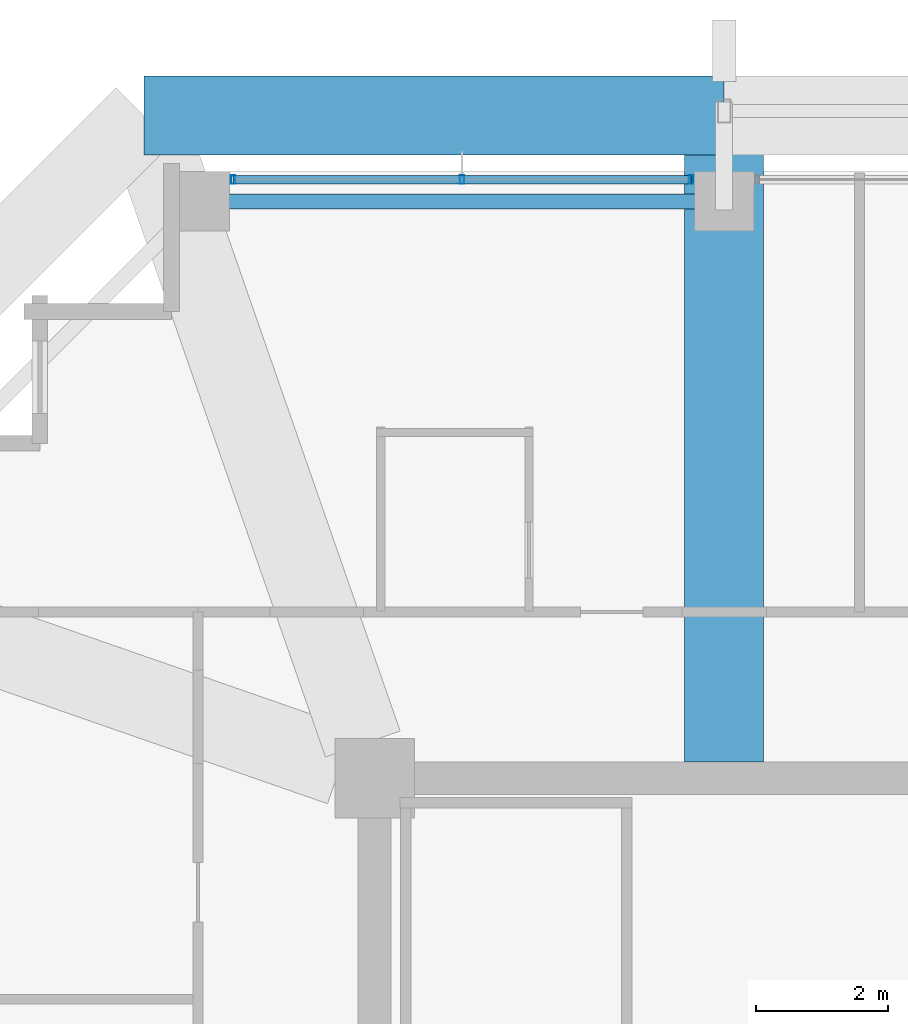
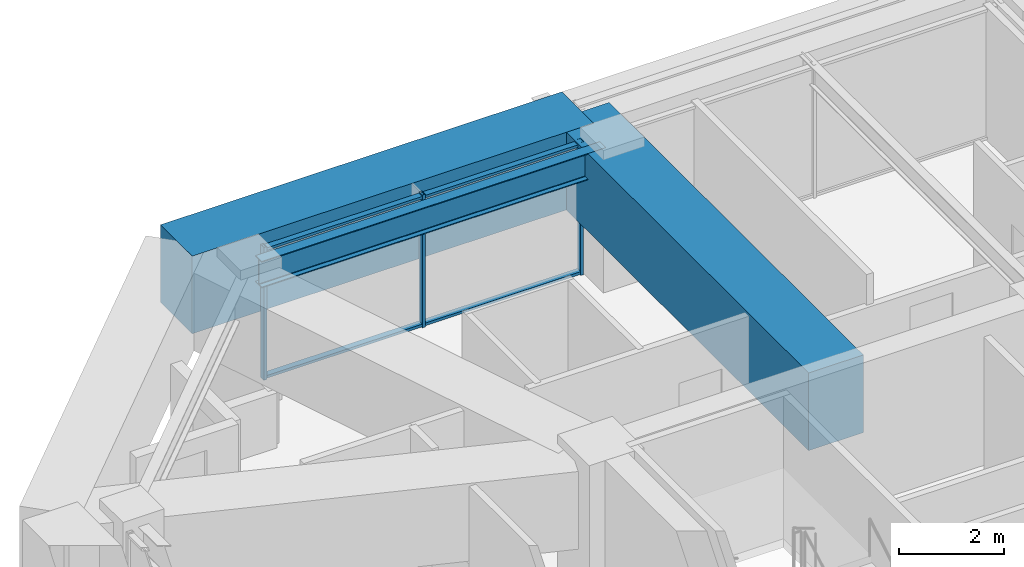
# One storey, part 23 of 40: 5 members, 3 beams, 1 element without a shape of its own.
"""IFC4 building model written with IfcOpenShell, lengths in metres."""

from ifc_helpers import new_model, si_unit, direction, frame, origin, origin_2d, place, context, subcontext, project, spatial, rectangle, hollow_rectangle, i_section, extrude, material, material_profile, profile_set, type_object, element, aggregate, save


model = new_model("IFC4")

# Units and contexts
model_context = context("Model", 3, precision=1e-05, world=origin(), true_north=direction((0.0, 1.0)))
body_context = subcontext(model_context, "Body", "Model", "MODEL_VIEW")
ifc_project = project(units=[si_unit("LENGTHUNIT", "METRE"), si_unit("AREAUNIT", "SQUARE_METRE"), si_unit("VOLUMEUNIT", "CUBIC_METRE"), si_unit("PLANEANGLEUNIT", "RADIAN"), si_unit("MASSUNIT", "GRAM", prefix="KILO")], contexts=[model_context])

# Site, building, storey
site_placement = place(None, origin())
site = spatial("IfcSite", under=ifc_project, at=site_placement, CompositionType="ELEMENT")
building_placement = place(site_placement, origin())
building = spatial("IfcBuilding", under=site, at=building_placement, Name="Kolvaren Belvedere", CompositionType="ELEMENT")
storey_placement = place(building_placement, frame((0.0, 0.0, 170.10009765625)))
storey = spatial("IfcBuildingStorey", under=building, at=storey_placement, Name="L49", CompositionType="ELEMENT", Elevation=170.10009765625)

# Beams
ifc_material_1 = material(Name="Structural steel ASTM A992 Grade 50", Category="steel")
ifc_material_profile_1 = material_profile(ifc_material_1, i_section(OverallWidth=0.22900390625, OverallDepth=0.612060546875, WebThickness=0.011962890625, FlangeThickness=0.01953125, FilletRadius=0.01806640625, at=origin_2d()), Name="W24X84")
ifc_profile_set_1 = profile_set([ifc_material_profile_1], Name="Structural steel ASTM A992 Grade 50")
beam_type_1 = type_object("IfcBeamType", Name="BM-SPAN-W24X84", PredefinedType="SPANDREL", material=ifc_profile_set_1)
beam_1_placement = place(storey_placement, frame((-4.802490234375, 18.64990234375, 2.77392578125), z_axis=(-1.0, 0.0, 0.0), x_axis=(0.0, -1.0, 0.0)))
element("IfcBeam", 1, at=beam_1_placement, inside=storey, type_object=beam_type_1, Name="L49 Perimeter Spandrel N2-N1", PredefinedType="SPANDREL", context=body_context, shape_type="SweptSolid", body=[
    extrude(i_section(OverallWidth=0.22900390625, OverallDepth=0.612060546875, WebThickness=0.011962890625, FlangeThickness=0.01953125, FilletRadius=0.01806640625, at=origin_2d()), origin(), (0.0, 0.0, 1.0), 7.544921875),
])
ifc_material_2 = material(Name="Concrete C50/60", Category="concrete")
ifc_material_profile_2 = material_profile(ifc_material_2, rectangle(XDim=1.199951171875, YDim=1.800048828125, at=origin_2d()), Name="RC 1200X1800")
ifc_profile_set_2 = profile_set([ifc_material_profile_2], Name="Concrete C50/60")
beam_type_2 = type_object("IfcBeamType", Name="BM-TG-1800", PredefinedType="BEAM", material=ifc_profile_set_2)
beam_2_placement = place(storey_placement, frame((-4.60009765625, 19.949951171875, 2.179931640625), z_axis=(-1.0, 0.0, 0.0), x_axis=(0.0, -1.0, 0.0)))
element("IfcBeam", 2, at=beam_2_placement, inside=storey, type_object=beam_type_2, Name="L49 Step Transfer Ring Girder N2-N1", PredefinedType="BEAM", context=body_context, shape_type="SweptSolid", body=[
    extrude(rectangle(XDim=1.199951171875, YDim=1.800048828125, at=origin_2d()), origin(), (0.0, 0.0, 1.0), 8.7998046875),
])
beam_3_placement = place(storey_placement, frame((-4.60009765625, 10.14990234375, 2.179931640625), z_axis=(0.0, 1.0, 0.0), x_axis=(-1.0, 0.0, 0.0)))
element("IfcBeam", 3, at=beam_3_placement, inside=storey, type_object=beam_type_2, Name="L49 North Radial Girder M", PredefinedType="BEAM", context=body_context, shape_type="SweptSolid", body=[
    extrude(rectangle(XDim=1.199951171875, YDim=1.800048828125, at=origin_2d()), origin(), (0.0, 0.0, 1.0), 9.650146484375),
])

# Curtain wall, members
ifc_material_3 = material(Name="Anodised pale-metal aluminium AA 6063-T6", Category="aluminium")
curtain_wall_type = type_object("IfcCurtainWallType", Name="CW-Z3-WAIST", PredefinedType="NOTDEFINED", material=ifc_material_3)
curtain_wall_placement = place(storey_placement, origin())
curtain_wall = element("IfcCurtainWall", 4, at=curtain_wall_placement, inside=storey, type_object=curtain_wall_type, Name="L49 Unitised Curtain Wall FCW-L49-N-B1", PredefinedType="NOTDEFINED")
ifc_material_4 = material(Name="Anodised pale-metal aluminium AA 6063-T6", Category="aluminium")
ifc_material_profile_3 = material_profile(ifc_material_4, hollow_rectangle(XDim=0.06494140625, YDim=0.1298828125, WallThickness=0.00390625, at=origin_2d()), Name="ALU-MUL-130X65")
ifc_profile_set_3 = profile_set([ifc_material_profile_3], Name="Anodised pale-metal aluminium AA 6063-T6")
member_type_1 = type_object("IfcMemberType", Name="CW-MUL-130", PredefinedType="MULLION", material=ifc_profile_set_3)
member_1_placement = place(storey_placement, frame((-12.047607421875, 18.97998046875, 0.0), z_axis=(0.0, 0.0, 1.0), x_axis=(1.0, 0.0, 0.0)))
member_1 = element("IfcMember", 5, at=member_1_placement, type_object=member_type_1, Name="FCW-L49-N-B1 Unitised Mullion 1", PredefinedType="MULLION", context=body_context, shape_type="SweptSolid", body=[
    extrude(hollow_rectangle(XDim=0.06494140625, YDim=0.1298828125, WallThickness=0.00390625, at=origin_2d()), origin(), (0.0, 0.0, 1.0), 3.079833984375),
])
member_2_placement = place(storey_placement, frame((-8.574951171875, 18.97998046875, 0.0), z_axis=(0.0, 0.0, 1.0), x_axis=(1.0, 0.0, 0.0)))
member_2 = element("IfcMember", 6, at=member_2_placement, type_object=member_type_1, Name="FCW-L49-N-B1 Unitised Mullion 2", PredefinedType="MULLION", context=body_context, shape_type="SweptSolid", body=[
    extrude(hollow_rectangle(XDim=0.06494140625, YDim=0.1298828125, WallThickness=0.00390625, at=origin_2d()), origin(), (0.0, 0.0, 1.0), 3.079833984375),
])
member_3_placement = place(storey_placement, frame((-5.1025390625, 18.97998046875, 0.0), z_axis=(0.0, 0.0, 1.0), x_axis=(1.0, 0.0, 0.0)))
member_3 = element("IfcMember", 7, at=member_3_placement, type_object=member_type_1, Name="FCW-L49-N-B1 Unitised Mullion 3", PredefinedType="MULLION", context=body_context, shape_type="SweptSolid", body=[
    extrude(hollow_rectangle(XDim=0.06494140625, YDim=0.1298828125, WallThickness=0.00390625, at=origin_2d()), origin(), (0.0, 0.0, 1.0), 3.079833984375),
])
ifc_material_5 = material(Name="Anodised pale-metal aluminium AA 6063-T6", Category="aluminium")
ifc_material_profile_4 = material_profile(ifc_material_5, hollow_rectangle(XDim=0.06005859375, YDim=0.1298828125, WallThickness=0.00390625, at=origin_2d()), Name="ALU-TRN-130X60")
ifc_profile_set_4 = profile_set([ifc_material_profile_4], Name="Anodised pale-metal aluminium AA 6063-T6")
member_type_2 = type_object("IfcMemberType", Name="CW-TRN-130", PredefinedType="USERDEFINED", material=ifc_profile_set_4)
member_4_placement = place(storey_placement, frame((-12.047607421875, 18.97998046875, 0.059814453125), z_axis=(1.0, 0.0, 0.0), x_axis=(0.0, 0.0, 1.0)))
member_4 = element("IfcMember", 8, at=member_4_placement, type_object=member_type_2, Name="FCW-L49-N-B1 Sill Transom", ObjectType="TRANSOM", PredefinedType="USERDEFINED", context=body_context, shape_type="SweptSolid", body=[
    extrude(hollow_rectangle(XDim=0.06005859375, YDim=0.1298828125, WallThickness=0.00390625, at=origin_2d()), origin(), (0.0, 0.0, 1.0), 6.945068359375),
])
member_5_placement = place(storey_placement, frame((-12.047607421875, 18.97998046875, 3.02001953125), z_axis=(1.0, 0.0, 0.0), x_axis=(0.0, 0.0, 1.0)))
member_5 = element("IfcMember", 9, at=member_5_placement, type_object=member_type_2, Name="FCW-L49-N-B1 Head Transom", ObjectType="TRANSOM", PredefinedType="USERDEFINED", context=body_context, shape_type="SweptSolid", body=[
    extrude(hollow_rectangle(XDim=0.06005859375, YDim=0.1298828125, WallThickness=0.00390625, at=origin_2d()), origin(), (0.0, 0.0, 1.0), 6.945068359375),
])
aggregate(curtain_wall, [member_1, member_2, member_3, member_4, member_5])

save(model, "model.ifc")
